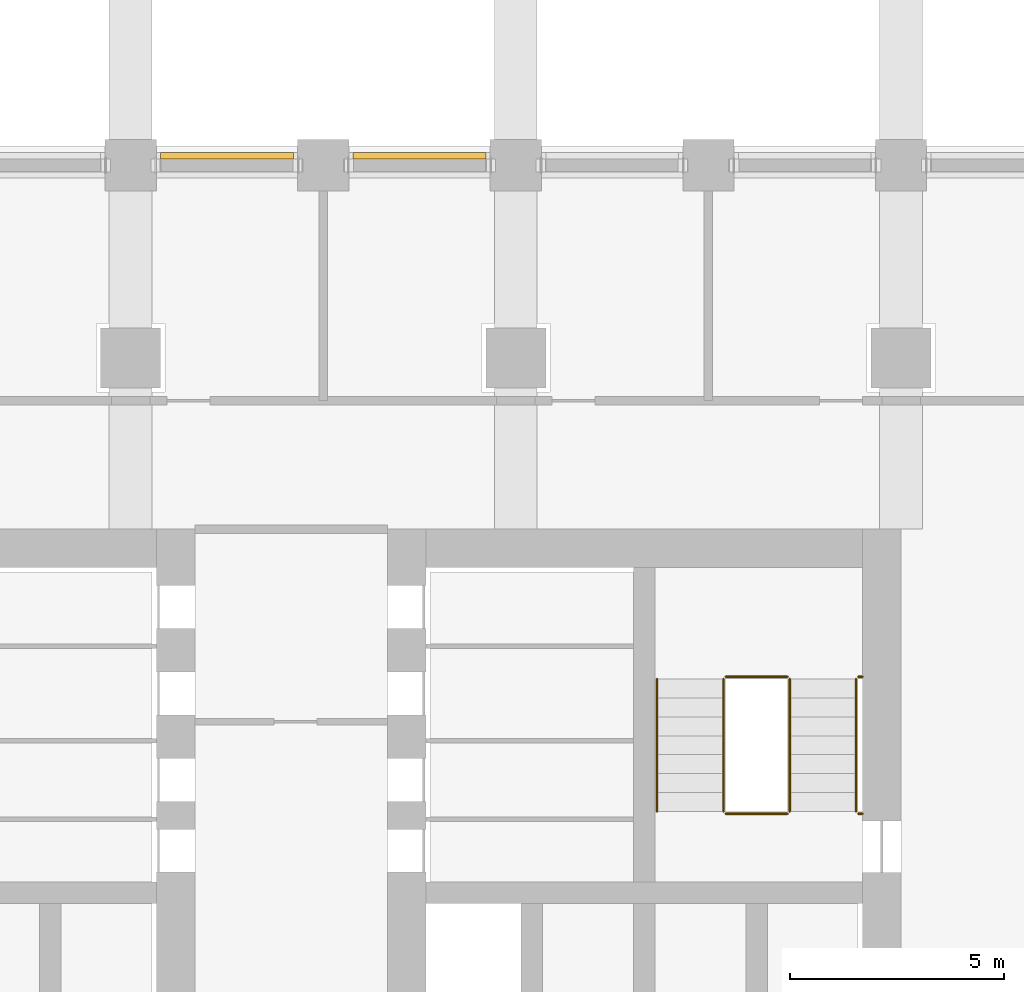
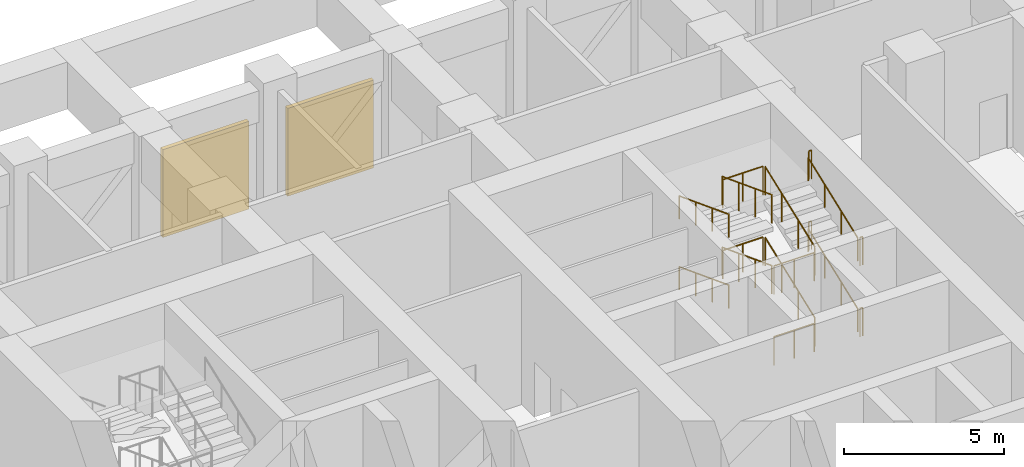
# One storey, part 18 of 20: 16 railings, 2 shading devices.
"""IFC4 building model written with IfcOpenShell, lengths in metres."""

from ifc_helpers import new_model, si_unit, direction, frame, origin, origin_2d, place, context, subcontext, project, spatial, rectangle, circle, extrude, material, layer, layer_set, type_object, element, save


model = new_model("IFC4")

# Units and contexts
model_context = context("Model", 3, precision=1e-05, world=origin(), true_north=direction((0.0, 1.0)))
body_context = subcontext(model_context, "Body", "Model", "MODEL_VIEW")
ifc_project = project(units=[si_unit("LENGTHUNIT", "METRE"), si_unit("AREAUNIT", "SQUARE_METRE"), si_unit("VOLUMEUNIT", "CUBIC_METRE"), si_unit("PLANEANGLEUNIT", "RADIAN"), si_unit("MASSUNIT", "GRAM", prefix="KILO")], contexts=[model_context])

# Site, building, storey
site_placement = place(None, origin())
site = spatial("IfcSite", under=ifc_project, at=site_placement, CompositionType="ELEMENT")
building_placement = place(site_placement, origin())
building = spatial("IfcBuilding", under=site, at=building_placement, Name="Corbel Stack Research Tower", CompositionType="ELEMENT")
storey_placement = place(building_placement, frame((0.0, 0.0, 76.60009765625)))
storey = spatial("IfcBuildingStorey", under=building, at=storey_placement, Name="L17", CompositionType="ELEMENT", Elevation=76.60009765625)

# Shading devices
ifc_material_1 = material(Name="Aluminium louvre", Category="aluminium")
ifc_layer = layer(ifc_material_1, 0.14990234375)
ifc_layer_set = layer_set([ifc_layer], Name="Aluminium louvre")
shading_device_type = type_object("IfcShadingDeviceType", Name="Plant louvre 150", PredefinedType="USERDEFINED", material=ifc_layer_set)
for number, where, z_axis, x_axis, name in (
    (1, (6.75, 27.22509765625, 0.199951171875), (0.0, 0.0, 1.0), (-1.0, 0.0, 0.0), "Plant louvre L17 N05"),
    (2, (2.25, 27.22509765625, 0.199951171875), (0.0, 0.0, 1.0), (-1.0, 0.0, 0.0), "Plant louvre L17 N06"),
):
    element("IfcShadingDevice", number, at=place(storey_placement, frame(where, z_axis=z_axis, x_axis=x_axis)), inside=storey, type_object=shading_device_type, Name=name, ObjectType="LOUVRE", PredefinedType="USERDEFINED", context=body_context, shape_type="SweptSolid", body=[
        extrude(rectangle(XDim=3.10009765625, YDim=0.14990234375, at=origin_2d()), origin(), (0.0, 0.0, 1.0), 3.35009765625),
    ])

# Railings
ifc_material_2 = material(Name="Steel S355", Category="steel")
railing_type_1 = type_object("IfcRailingType", Name="Stair guard 1100", PredefinedType="GUARDRAIL", material=ifc_material_2)
railing_1_placement = place(storey_placement, frame((15.39990234375, 11.89990234375, 0.168701171875)))
element("IfcRailing", 3, at=railing_1_placement, inside=storey, type_object=railing_type_1, Name="L17 ST-E2 stair guard 1", PredefinedType="GUARDRAIL", context=body_context, shape_type="SweptSolid", body=[
    extrude(circle(Radius=0.02392578125, at=origin_2d()), frame((0.0, 0.0, 1.076171875), z_axis=(0.0, 0.934508712189, 0.355940257406), x_axis=(-1.0, 0.0, 0.0)), (0.0, 0.0, 1.0), 3.318359375),
    extrude(circle(Radius=0.02099609375, at=origin_2d()), origin(), (0.0, 0.0, 1.0), 1.052001953125),
    extrude(circle(Radius=0.02099609375, at=origin_2d()), frame((0.0, 1.03369140625, 0.393798828125)), (0.0, 0.0, 1.0), 1.052001953125),
    extrude(circle(Radius=0.02099609375, at=origin_2d()), frame((0.0, 2.0673828125, 0.787353515625)), (0.0, 0.0, 1.0), 1.052001953125),
    extrude(circle(Radius=0.02099609375, at=origin_2d()), frame((0.0, 3.10107421875, 1.18115234375)), (0.0, 0.0, 1.0), 1.052001953125),
])
railing_2_placement = place(storey_placement, frame((15.35009765625, 15.051025390625, 1.349853515625)))
element("IfcRailing", 4, at=railing_2_placement, inside=storey, type_object=railing_type_1, Name="L17 ST-E2 stair guard 2", PredefinedType="GUARDRAIL", context=body_context, shape_type="SweptSolid", body=[
    extrude(circle(Radius=0.02392578125, at=origin_2d()), frame((0.0, 0.0, 1.076171875), z_axis=(-1.0, 0.0, 0.0), x_axis=(0.0, -1.0, 0.0)), (0.0, 0.0, 1.0), 1.4501953125),
    extrude(circle(Radius=0.02099609375, at=origin_2d()), origin(), (0.0, 0.0, 1.0), 1.052001953125),
    extrude(circle(Radius=0.02099609375, at=origin_2d()), frame((-0.72509765625, 0.0, 0.0)), (0.0, 0.0, 1.0), 1.052001953125),
    extrude(circle(Radius=0.02099609375, at=origin_2d()), frame((-1.4501953125, 0.0, 0.0)), (0.0, 0.0, 1.0), 1.052001953125),
])
railing_3_placement = place(storey_placement, frame((17.10009765625, 15.051025390625, 1.349853515625)))
element("IfcRailing", 5, at=railing_3_placement, inside=storey, type_object=railing_type_1, Name="L17 ST-E2 stair guard 3", PredefinedType="GUARDRAIL", context=body_context, shape_type="SweptSolid", body=[
    extrude(circle(Radius=0.02392578125, at=origin_2d()), frame((0.0, 0.0, 1.076171875), z_axis=(-1.0, 0.0, 0.0), x_axis=(0.0, -1.0, 0.0)), (0.0, 0.0, 1.0), 0.10009765625),
    extrude(circle(Radius=0.02099609375, at=origin_2d()), origin(), (0.0, 0.0, 1.0), 1.052001953125),
    extrude(circle(Radius=0.02099609375, at=origin_2d()), frame((-0.10009765625, 0.0, 0.0)), (0.0, 0.0, 1.0), 1.052001953125),
])
railing_4_placement = place(storey_placement, frame((13.85009765625, 15.0009765625, 1.5185546875)))
element("IfcRailing", 6, at=railing_4_placement, inside=storey, type_object=railing_type_1, Name="L17 ST-E2 stair guard 4", PredefinedType="GUARDRAIL", context=body_context, shape_type="SweptSolid", body=[
    extrude(circle(Radius=0.02392578125, at=origin_2d()), frame((0.0, 0.0, 1.076171875), z_axis=(0.0, -0.934484238495, 0.356004505596), x_axis=(1.0, 0.0, 0.0)), (0.0, 0.0, 1.0), 3.318603515625),
    extrude(circle(Radius=0.02099609375, at=origin_2d()), origin(), (0.0, 0.0, 1.0), 1.052001953125),
    extrude(circle(Radius=0.02099609375, at=origin_2d()), frame((0.0, -1.03369140625, 0.393798828125)), (0.0, 0.0, 1.0), 1.052001953125),
    extrude(circle(Radius=0.02099609375, at=origin_2d()), frame((0.0, -2.0673828125, 0.78759765625)), (0.0, 0.0, 1.0), 1.052001953125),
    extrude(circle(Radius=0.02099609375, at=origin_2d()), frame((0.0, -3.10107421875, 1.181396484375)), (0.0, 0.0, 1.0), 1.052001953125),
])
railing_5_placement = place(storey_placement, frame((15.35009765625, 11.85009765625, 2.699951171875)))
element("IfcRailing", 7, at=railing_5_placement, inside=storey, type_object=railing_type_1, Name="L17 ST-E2 stair guard 5", PredefinedType="GUARDRAIL", context=body_context, shape_type="SweptSolid", body=[
    extrude(circle(Radius=0.02392578125, at=origin_2d()), frame((0.0, 0.0, 1.076171875), z_axis=(-1.0, 0.0, 0.0), x_axis=(0.0, -1.0, 0.0)), (0.0, 0.0, 1.0), 1.4501953125),
    extrude(circle(Radius=0.02099609375, at=origin_2d()), origin(), (0.0, 0.0, 1.0), 1.052001953125),
    extrude(circle(Radius=0.02099609375, at=origin_2d()), frame((-0.72509765625, 0.0, 0.0)), (0.0, 0.0, 1.0), 1.052001953125),
    extrude(circle(Radius=0.02099609375, at=origin_2d()), frame((-1.4501953125, 0.0, 0.0)), (0.0, 0.0, 1.0), 1.052001953125),
])
railing_6_placement = place(storey_placement, frame((17.10009765625, 11.85009765625, 2.699951171875)))
element("IfcRailing", 8, at=railing_6_placement, inside=storey, type_object=railing_type_1, Name="L17 ST-E2 stair guard 6", PredefinedType="GUARDRAIL", context=body_context, shape_type="SweptSolid", body=[
    extrude(circle(Radius=0.02392578125, at=origin_2d()), frame((0.0, 0.0, 1.076171875), z_axis=(-1.0, 0.0, 0.0), x_axis=(0.0, -1.0, 0.0)), (0.0, 0.0, 1.0), 0.10009765625),
    extrude(circle(Radius=0.02099609375, at=origin_2d()), origin(), (0.0, 0.0, 1.0), 1.052001953125),
    extrude(circle(Radius=0.02099609375, at=origin_2d()), frame((-0.10009765625, 0.0, 0.0)), (0.0, 0.0, 1.0), 1.052001953125),
])
railing_7_placement = place(storey_placement, frame((15.39990234375, 11.89990234375, 2.86865234375)))
element("IfcRailing", 9, at=railing_7_placement, inside=storey, type_object=railing_type_1, Name="L17 ST-E2 stair guard 7", PredefinedType="GUARDRAIL", context=body_context, shape_type="SweptSolid", body=[
    extrude(circle(Radius=0.02392578125, at=origin_2d()), frame((0.0, 0.0, 1.076171875), z_axis=(0.0, 0.934508712189, 0.355940257406), x_axis=(-1.0, 0.0, 0.0)), (0.0, 0.0, 1.0), 3.318359375),
    extrude(circle(Radius=0.02099609375, at=origin_2d()), origin(), (0.0, 0.0, 1.0), 1.052001953125),
    extrude(circle(Radius=0.02099609375, at=origin_2d()), frame((0.0, 1.03369140625, 0.393798828125)), (0.0, 0.0, 1.0), 1.052001953125),
    extrude(circle(Radius=0.02099609375, at=origin_2d()), frame((0.0, 2.0673828125, 0.787353515625)), (0.0, 0.0, 1.0), 1.052001953125),
    extrude(circle(Radius=0.02099609375, at=origin_2d()), frame((0.0, 3.10107421875, 1.18115234375)), (0.0, 0.0, 1.0), 1.052001953125),
])
railing_8_placement = place(storey_placement, frame((15.35009765625, 15.051025390625, 4.0498046875)))
element("IfcRailing", 10, at=railing_8_placement, inside=storey, type_object=railing_type_1, Name="L17 ST-E2 stair guard 8", PredefinedType="GUARDRAIL", context=body_context, shape_type="SweptSolid", body=[
    extrude(circle(Radius=0.02392578125, at=origin_2d()), frame((0.0, 0.0, 1.076171875), z_axis=(-1.0, 0.0, 0.0), x_axis=(0.0, -1.0, 0.0)), (0.0, 0.0, 1.0), 1.4501953125),
    extrude(circle(Radius=0.02099609375, at=origin_2d()), origin(), (0.0, 0.0, 1.0), 1.052001953125),
    extrude(circle(Radius=0.02099609375, at=origin_2d()), frame((-0.72509765625, 0.0, 0.0)), (0.0, 0.0, 1.0), 1.052001953125),
    extrude(circle(Radius=0.02099609375, at=origin_2d()), frame((-1.4501953125, 0.0, 0.0)), (0.0, 0.0, 1.0), 1.052001953125),
])
railing_9_placement = place(storey_placement, frame((17.10009765625, 15.051025390625, 4.0498046875)))
element("IfcRailing", 11, at=railing_9_placement, inside=storey, type_object=railing_type_1, Name="L17 ST-E2 stair guard 9", PredefinedType="GUARDRAIL", context=body_context, shape_type="SweptSolid", body=[
    extrude(circle(Radius=0.02392578125, at=origin_2d()), frame((0.0, 0.0, 1.076171875), z_axis=(-1.0, 0.0, 0.0), x_axis=(0.0, -1.0, 0.0)), (0.0, 0.0, 1.0), 0.10009765625),
    extrude(circle(Radius=0.02099609375, at=origin_2d()), origin(), (0.0, 0.0, 1.0), 1.052001953125),
    extrude(circle(Radius=0.02099609375, at=origin_2d()), frame((-0.10009765625, 0.0, 0.0)), (0.0, 0.0, 1.0), 1.052001953125),
])
railing_10_placement = place(storey_placement, frame((13.85009765625, 15.0009765625, 4.21875)))
element("IfcRailing", 12, at=railing_10_placement, inside=storey, type_object=railing_type_1, Name="L17 ST-E2 stair guard 10", PredefinedType="GUARDRAIL", context=body_context, shape_type="SweptSolid", body=[
    extrude(circle(Radius=0.02392578125, at=origin_2d()), frame((0.0, 0.0, 1.076171875), z_axis=(0.0, -0.934508712189, 0.355940257406), x_axis=(1.0, 0.0, 0.0)), (0.0, 0.0, 1.0), 3.318359375),
    extrude(circle(Radius=0.02099609375, at=origin_2d()), origin(), (0.0, 0.0, 1.0), 1.052001953125),
    extrude(circle(Radius=0.02099609375, at=origin_2d()), frame((0.0, -1.03369140625, 0.393798828125)), (0.0, 0.0, 1.0), 1.052001953125),
    extrude(circle(Radius=0.02099609375, at=origin_2d()), frame((0.0, -2.0673828125, 0.787353515625)), (0.0, 0.0, 1.0), 1.052001953125),
    extrude(circle(Radius=0.02099609375, at=origin_2d()), frame((0.0, -3.10107421875, 1.18115234375)), (0.0, 0.0, 1.0), 1.052001953125),
])
railing_11_placement = place(storey_placement, frame((15.35009765625, 11.85009765625, 0.0)))
element("IfcRailing", 13, at=railing_11_placement, inside=storey, type_object=railing_type_1, Name="L17 ST-E2 stair guard 11", PredefinedType="GUARDRAIL", context=body_context, shape_type="SweptSolid", body=[
    extrude(circle(Radius=0.02392578125, at=origin_2d()), frame((0.0, 0.0, 1.076171875), z_axis=(-1.0, 0.0, 0.0), x_axis=(0.0, -1.0, 0.0)), (0.0, 0.0, 1.0), 1.4501953125),
    extrude(circle(Radius=0.02099609375, at=origin_2d()), origin(), (0.0, 0.0, 1.0), 1.052001953125),
    extrude(circle(Radius=0.02099609375, at=origin_2d()), frame((-0.72509765625, 0.0, 0.0)), (0.0, 0.0, 1.0), 1.052001953125),
    extrude(circle(Radius=0.02099609375, at=origin_2d()), frame((-1.4501953125, 0.0, 0.0)), (0.0, 0.0, 1.0), 1.052001953125),
])
railing_12_placement = place(storey_placement, frame((17.10009765625, 11.85009765625, 0.0)))
element("IfcRailing", 14, at=railing_12_placement, inside=storey, type_object=railing_type_1, Name="L17 ST-E2 stair guard 12", PredefinedType="GUARDRAIL", context=body_context, shape_type="SweptSolid", body=[
    extrude(circle(Radius=0.02392578125, at=origin_2d()), frame((0.0, 0.0, 1.076171875), z_axis=(-1.0, 0.0, 0.0), x_axis=(0.0, -1.0, 0.0)), (0.0, 0.0, 1.0), 0.10009765625),
    extrude(circle(Radius=0.02099609375, at=origin_2d()), origin(), (0.0, 0.0, 1.0), 1.052001953125),
    extrude(circle(Radius=0.02099609375, at=origin_2d()), frame((-0.10009765625, 0.0, 0.0)), (0.0, 0.0, 1.0), 1.052001953125),
])
ifc_material_3 = material(Name="Steel S355", Category="steel")
railing_type_2 = type_object("IfcRailingType", Name="Stair handrail 900", PredefinedType="HANDRAIL", material=ifc_material_3)
railing_13_placement = place(storey_placement, frame((16.949951171875, 11.89990234375, 0.168701171875)))
element("IfcRailing", 15, at=railing_13_placement, inside=storey, type_object=railing_type_2, Name="L17 ST-E2 stair handrail 1", PredefinedType="HANDRAIL", context=body_context, shape_type="SweptSolid", body=[
    extrude(circle(Radius=0.02392578125, at=origin_2d()), frame((0.0, 0.0, 0.8759765625), z_axis=(0.0, 0.934508712189, 0.355940257406), x_axis=(-1.0, 0.0, 0.0)), (0.0, 0.0, 1.0), 3.318359375),
    extrude(circle(Radius=0.02099609375, at=origin_2d()), origin(), (0.0, 0.0, 1.0), 0.851806640625),
    extrude(circle(Radius=0.02099609375, at=origin_2d()), frame((0.0, 1.03369140625, 0.393798828125)), (0.0, 0.0, 1.0), 0.851806640625),
    extrude(circle(Radius=0.02099609375, at=origin_2d()), frame((0.0, 2.0673828125, 0.787353515625)), (0.0, 0.0, 1.0), 0.851806640625),
    extrude(circle(Radius=0.02099609375, at=origin_2d()), frame((0.0, 3.10107421875, 1.18115234375)), (0.0, 0.0, 1.0), 0.851806640625),
])
railing_14_placement = place(storey_placement, frame((12.300048828125, 15.0009765625, 1.5185546875)))
element("IfcRailing", 16, at=railing_14_placement, inside=storey, type_object=railing_type_2, Name="L17 ST-E2 stair handrail 2", PredefinedType="HANDRAIL", context=body_context, shape_type="SweptSolid", body=[
    extrude(circle(Radius=0.02392578125, at=origin_2d()), frame((0.0, 0.0, 0.8759765625), z_axis=(0.0, -0.934484238495, 0.356004505596), x_axis=(1.0, 0.0, 0.0)), (0.0, 0.0, 1.0), 3.318603515625),
    extrude(circle(Radius=0.02099609375, at=origin_2d()), origin(), (0.0, 0.0, 1.0), 0.851806640625),
    extrude(circle(Radius=0.02099609375, at=origin_2d()), frame((0.0, -1.03369140625, 0.393798828125)), (0.0, 0.0, 1.0), 0.851806640625),
    extrude(circle(Radius=0.02099609375, at=origin_2d()), frame((0.0, -2.0673828125, 0.78759765625)), (0.0, 0.0, 1.0), 0.851806640625),
    extrude(circle(Radius=0.02099609375, at=origin_2d()), frame((0.0, -3.10107421875, 1.181396484375)), (0.0, 0.0, 1.0), 0.851806640625),
])
railing_15_placement = place(storey_placement, frame((16.949951171875, 11.89990234375, 2.86865234375)))
element("IfcRailing", 17, at=railing_15_placement, inside=storey, type_object=railing_type_2, Name="L17 ST-E2 stair handrail 3", PredefinedType="HANDRAIL", context=body_context, shape_type="SweptSolid", body=[
    extrude(circle(Radius=0.02392578125, at=origin_2d()), frame((0.0, 0.0, 0.8759765625), z_axis=(0.0, 0.934508712189, 0.355940257406), x_axis=(-1.0, 0.0, 0.0)), (0.0, 0.0, 1.0), 3.318359375),
    extrude(circle(Radius=0.02099609375, at=origin_2d()), origin(), (0.0, 0.0, 1.0), 0.851806640625),
    extrude(circle(Radius=0.02099609375, at=origin_2d()), frame((0.0, 1.03369140625, 0.393798828125)), (0.0, 0.0, 1.0), 0.851806640625),
    extrude(circle(Radius=0.02099609375, at=origin_2d()), frame((0.0, 2.0673828125, 0.787353515625)), (0.0, 0.0, 1.0), 0.851806640625),
    extrude(circle(Radius=0.02099609375, at=origin_2d()), frame((0.0, 3.10107421875, 1.18115234375)), (0.0, 0.0, 1.0), 0.851806640625),
])
railing_16_placement = place(storey_placement, frame((12.300048828125, 15.0009765625, 4.21875)))
element("IfcRailing", 18, at=railing_16_placement, inside=storey, type_object=railing_type_2, Name="L17 ST-E2 stair handrail 4", PredefinedType="HANDRAIL", context=body_context, shape_type="SweptSolid", body=[
    extrude(circle(Radius=0.02392578125, at=origin_2d()), frame((0.0, 0.0, 0.8759765625), z_axis=(0.0, -0.934508712189, 0.355940257406), x_axis=(1.0, 0.0, 0.0)), (0.0, 0.0, 1.0), 3.318359375),
    extrude(circle(Radius=0.02099609375, at=origin_2d()), origin(), (0.0, 0.0, 1.0), 0.851806640625),
    extrude(circle(Radius=0.02099609375, at=origin_2d()), frame((0.0, -1.03369140625, 0.393798828125)), (0.0, 0.0, 1.0), 0.851806640625),
    extrude(circle(Radius=0.02099609375, at=origin_2d()), frame((0.0, -2.0673828125, 0.787353515625)), (0.0, 0.0, 1.0), 0.851806640625),
    extrude(circle(Radius=0.02099609375, at=origin_2d()), frame((0.0, -3.10107421875, 1.18115234375)), (0.0, 0.0, 1.0), 0.851806640625),
])

save(model, "model.ifc")
